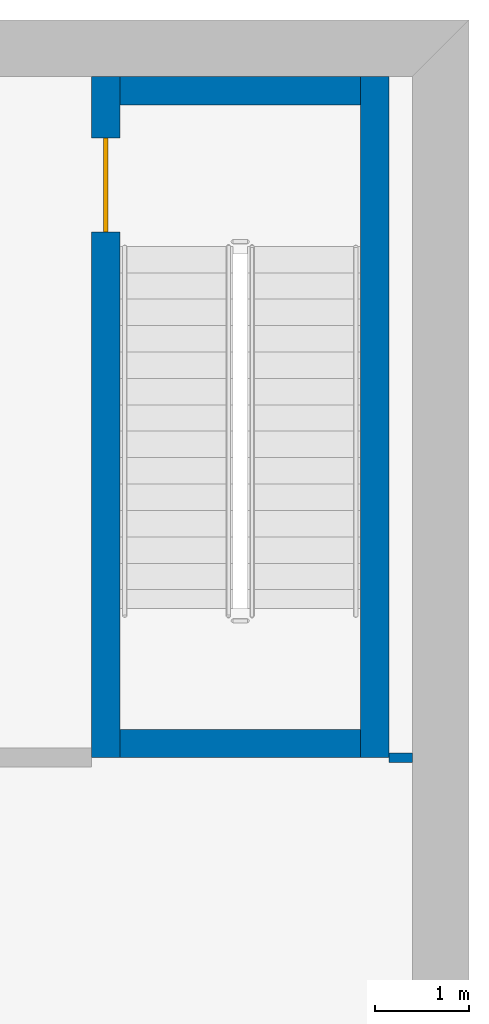
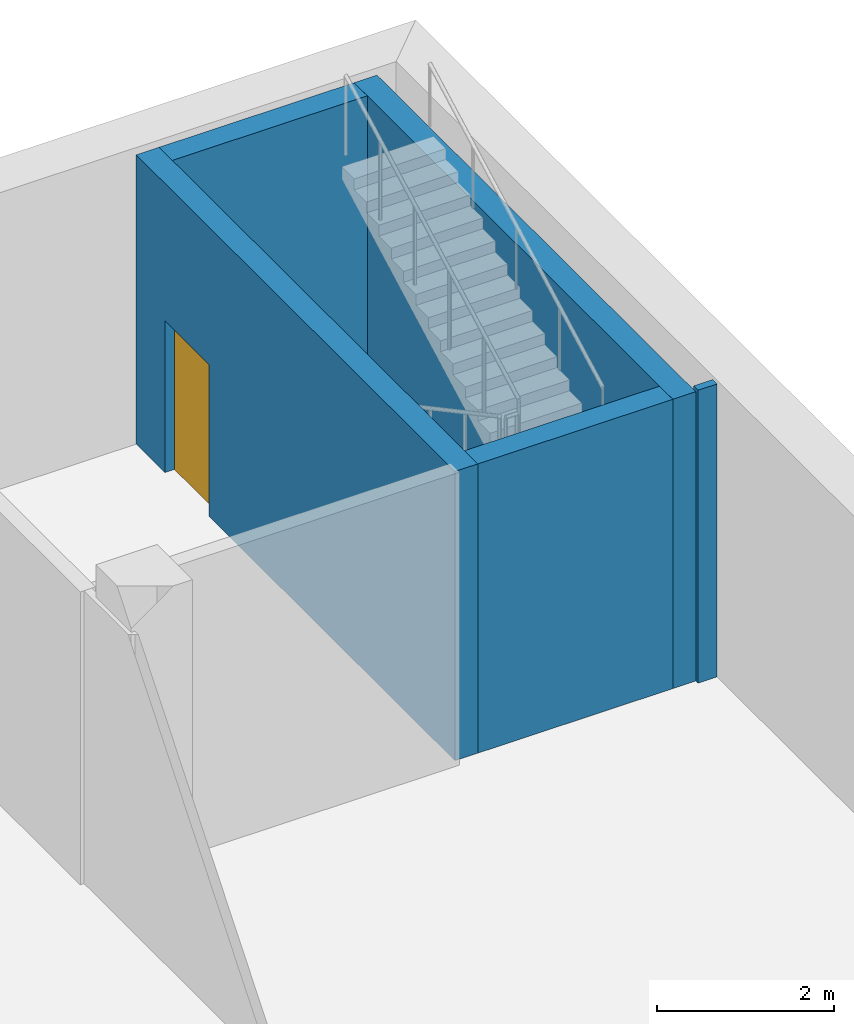
# One storey, part 14 of 21: 5 walls, 1 door, 1 opening.
"""IFC4 building model written with IfcOpenShell, lengths in metres."""

import ifcopenshell
import ifcopenshell.guid

model = None  # the IFC model being written
_history = None  # IfcOwnerHistory: only IFC2X3 demands one
_inside = {}  # id of a spatial element -> (the spatial element, [elements in it])
_under = {}  # id of a project, library or spatial element -> (it, [spatial elements below it])
_declared = {}  # id of a project -> (the project, [libraries it declares])
_typed = {}  # id of a type object -> (the type object, [elements of that type])
_made_of = {}  # id of a material, layer set ... -> (it, [elements and type objects made of it])


def new_model(schema):
    """Start an empty IFC model of exactly this schema.

    Asked for "IFC4X3", IfcOpenShell would pick the latest addendum, in which some entities
    have other attributes; the version numbers below select the first issue.
    IFC2X3 requires an IfcOwnerHistory on every rooted entity: one is made here for all.
    """
    global model, _history
    if schema == "IFC4X3":
        model = ifcopenshell.file(schema_version=(4, 3, 0, 0))
    else:
        model = ifcopenshell.file(schema=schema)
    _inside.clear()
    _under.clear()
    _declared.clear()
    _typed.clear()
    _made_of.clear()
    _history = None
    if model.schema == "IFC2X3":
        org = make("IfcOrganization", Name="unknown")
        user = make(
            "IfcPersonAndOrganization",
            ThePerson=make("IfcPerson", FamilyName="unknown"),
            TheOrganization=org,
        )
        app = make(
            "IfcApplication",
            ApplicationDeveloper=org,
            Version="unknown",
            ApplicationFullName="unknown",
            ApplicationIdentifier="unknown",
        )
        _history = make(
            "IfcOwnerHistory",
            OwningUser=user,
            OwningApplication=app,
            ChangeAction="ADDED",
            CreationDate=0,
        )
    return model


def make(cls, **values):
    """One entity of the class cls with the attributes given. An attribute that is None is left unset."""
    return model.create_entity(
        cls, **{name: value for name, value in values.items() if value is not None}
    )


def rooted(cls, **values):
    """An entity with a GlobalId (a new one), such as an element, a storey or a relation."""
    return make(cls, GlobalId=ifcopenshell.guid.new(), OwnerHistory=_history, **values)


def si_unit(unit_type, name, prefix=None):
    """IfcSIUnit, for example si_unit("LENGTHUNIT", "METRE", prefix="MILLI")."""
    return make("IfcSIUnit", UnitType=unit_type, Prefix=prefix, Name=name)


def assignment(units):
    """IfcUnitAssignment: the units of a project."""
    return None if units is None else make("IfcUnitAssignment", Units=units)


def point(xyz):
    """IfcCartesianPoint."""
    return None if xyz is None else make("IfcCartesianPoint", Coordinates=xyz)


def direction(xyz):
    """IfcDirection."""
    return None if xyz is None else make("IfcDirection", DirectionRatios=xyz)


def frame(location, z_axis=None, x_axis=None):
    """IfcAxis2Placement3D, a coordinate frame: its origin and axes. An axis left out is left unset."""
    return make(
        "IfcAxis2Placement3D",
        Location=point(location),
        Axis=direction(z_axis),
        RefDirection=direction(x_axis),
    )


def frame_2d(location, x_axis=None):
    """IfcAxis2Placement2D, a coordinate frame in the plane: its origin and x axis."""
    return make(
        "IfcAxis2Placement2D", Location=point(location), RefDirection=direction(x_axis)
    )


def origin():
    """The frame at (0, 0, 0) with its axes left unset."""
    return frame((0.0, 0.0, 0.0))


def place(relative_to, where):
    """IfcLocalPlacement: puts the frame where relative to a parent placement (None: the world)."""
    return make(
        "IfcLocalPlacement", PlacementRelTo=relative_to, RelativePlacement=where
    )


def context(
    kind, dimensions, precision=None, world=None, true_north=None, identifier=None
):
    """IfcGeometricRepresentationContext, for example the 3D "Model" context."""
    return make(
        "IfcGeometricRepresentationContext",
        ContextIdentifier=identifier,
        ContextType=kind,
        CoordinateSpaceDimension=dimensions,
        Precision=precision,
        WorldCoordinateSystem=world,
        TrueNorth=true_north,
    )


def subcontext(parent, identifier, kind, view, scale=None):
    """IfcGeometricRepresentationSubContext, for example "Body" below "Model"."""
    return make(
        "IfcGeometricRepresentationSubContext",
        ContextIdentifier=identifier,
        ContextType=kind,
        ParentContext=parent,
        TargetScale=scale,
        TargetView=view,
    )


def project(units=None, contexts=None):
    """IfcProject with its units and contexts."""
    return rooted(
        "IfcProject",
        Name="project",
        RepresentationContexts=contexts,
        UnitsInContext=assignment(units),
    )


def spatial(cls, under=None, at=None, **own):
    """A site, building, storey or space (cls), placed at a placement, below another one or the project."""
    s = rooted(cls, ObjectPlacement=at, **own)
    if under is not None:
        _under.setdefault(under.id(), (under, []))[1].append(s)
    return s


def profile(cls, at=None, kind="AREA", **sizes):
    """A parametric profile (cls). Its sizes go by their IFC names, for example OverallWidth=200.0."""
    return make(cls, ProfileType=kind, Position=at, **sizes)


def rectangle(**sizes):
    """IfcRectangleProfileDef."""
    return profile("IfcRectangleProfileDef", **sizes)


def extrude(swept, where, along, depth):
    """IfcExtrudedAreaSolid: the profile swept, set in the frame where, extruded along a direction by depth."""
    return make(
        "IfcExtrudedAreaSolid",
        SweptArea=swept,
        Position=where,
        ExtrudedDirection=direction(along),
        Depth=depth,
    )


def shape(context_of_items, identifier, shape_type, items):
    """IfcShapeRepresentation: the items that make up one representation, for example the "Body"."""
    return make(
        "IfcShapeRepresentation",
        ContextOfItems=context_of_items,
        RepresentationIdentifier=identifier,
        RepresentationType=shape_type,
        Items=items,
    )


def material(Name=None, Category=None):
    """IfcMaterial."""
    return make("IfcMaterial", Name=Name, Category=Category)


def layer(
    of_material, thickness, ventilated=None, Name=None, Category=None, Priority=None
):
    """IfcMaterialLayer: one layer of a wall or slab, of a material (None: an air gap)."""
    return make(
        "IfcMaterialLayer",
        Material=of_material,
        LayerThickness=thickness,
        IsVentilated=ventilated,
        Name=Name,
        Category=Category,
        Priority=Priority,
    )


def layer_set(layers, Name=None):
    """IfcMaterialLayerSet."""
    return make("IfcMaterialLayerSet", MaterialLayers=layers, LayerSetName=Name)


def made_of(thing, what):
    """Note that an element or type object is made of a material, layer set ...; save() writes the relation."""
    if what is not None:
        _made_of.setdefault(what.id(), (what, []))[1].append(thing)
    return thing


def type_object(cls, material=None, **own):
    """A type object (cls), such as IfcWallType, which elements share."""
    return made_of(rooted(cls, **own), material)


def element(
    cls,
    number,
    at=None,
    inside=None,
    cuts=None,
    type_object=None,
    material=None,
    context=None,
    identifier="Body",
    shape_type=None,
    held_by="IfcProductDefinitionShape",
    body=None,
    shapes=None,
    **own,
):
    """One element of the class cls, such as IfcWall. Its Tag is "e" and its number.

    at: its placement. inside: the storey or other place that contains it. cuts: it is an
    opening in that element (IfcRelVoidsElement). A single representation is given by context,
    identifier, shape_type and body (its items); several are given by shapes. held_by: the class
    of the entity that holds the representations. save() writes the other relations.
    """
    e = rooted(cls, Tag="e%d" % number, ObjectPlacement=at, **own)
    if body is not None:
        shapes = [shape(context, identifier, shape_type, body)]
    if shapes is not None:
        e.Representation = make(held_by, Representations=shapes)
    if inside is not None:
        _inside.setdefault(inside.id(), (inside, []))[1].append(e)
    if cuts is not None:
        rooted(
            "IfcRelVoidsElement", RelatingBuildingElement=cuts, RelatedOpeningElement=e
        )
    if type_object is not None:
        _typed.setdefault(type_object.id(), (type_object, []))[1].append(e)
    return made_of(e, material)


def fill(opening, filler):
    """IfcRelFillsElement: the door or window that sits in an opening."""
    return rooted(
        "IfcRelFillsElement",
        RelatingOpeningElement=opening,
        RelatedBuildingElement=filler,
    )


def aggregate(whole, parts):
    """IfcRelAggregates: a whole, such as a stair, and the parts it consists of."""
    return rooted("IfcRelAggregates", RelatingObject=whole, RelatedObjects=parts)


def save(model, path):
    """Write the relations noted so far, then the file.

    IfcRelAggregates (storeys below a building ...), IfcRelContainedInSpatialStructure (elements
    in a storey), IfcRelDefinesByType, IfcRelAssociatesMaterial and IfcRelDeclares: one each for
    every whole, place, type object, material and project.
    """
    for whole, parts in _under.values():
        aggregate(whole, parts)
    for where, things in _inside.values():
        rooted(
            "IfcRelContainedInSpatialStructure",
            RelatedElements=things,
            RelatingStructure=where,
        )
    for kind, things in _typed.values():
        rooted("IfcRelDefinesByType", RelatedObjects=things, RelatingType=kind)
    for what, things in _made_of.values():
        rooted("IfcRelAssociatesMaterial", RelatedObjects=things, RelatingMaterial=what)
    for by, libraries in _declared.values():
        rooted("IfcRelDeclares", RelatingContext=by, RelatedDefinitions=libraries)
    model.write(path)


model = new_model("IFC4")

# Units and contexts
model_context = context("Model", 3, precision=1e-05, world=origin(), true_north=direction((0.0, 1.0)))
body_context = subcontext(model_context, "Body", "Model", "MODEL_VIEW")
ifc_project = project(units=[si_unit("LENGTHUNIT", "METRE"), si_unit("AREAUNIT", "SQUARE_METRE"), si_unit("VOLUMEUNIT", "CUBIC_METRE"), si_unit("PLANEANGLEUNIT", "RADIAN"), si_unit("MASSUNIT", "GRAM", prefix="KILO")], contexts=[model_context])

# Site, building, storey
site_placement = place(None, origin())
site = spatial("IfcSite", under=ifc_project, at=site_placement, CompositionType="ELEMENT")
building_placement = place(site_placement, origin())
building = spatial("IfcBuilding", under=site, at=building_placement, Name="Trine Commons Tower", CompositionType="ELEMENT")
storey_placement = place(building_placement, frame((0.0, 0.0, -4.5)))
storey = spatial("IfcBuildingStorey", under=building, at=storey_placement, Name="B1", CompositionType="ELEMENT", Elevation=-4.5)

# Wall
ifc_material_1 = material(Name="Plasterboard on steel stud", Category="steel")
ifc_layer_1 = layer(ifc_material_1, 0.10009765625)
ifc_layer_set_1 = layer_set([ifc_layer_1], Name="Plasterboard on steel stud")
wall_type_1 = type_object("IfcWallType", Name="Partition wall 100 mm stud, not rated", PredefinedType="PARTITIONING", material=ifc_layer_set_1)
wall_1_placement = place(storey_placement, frame((137.951904296875, 96.679931640625, 0.0), z_axis=(0.0, 0.0, 1.0), x_axis=(1.0, 0.0, 0.0)))
element("IfcWall", 1, at=wall_1_placement, inside=storey, type_object=wall_type_1, Name="Partition B1036", PredefinedType="PARTITIONING", context=body_context, shape_type="SweptSolid", body=[
    extrude(rectangle(XDim=0.248046875, YDim=0.10009765625, at=frame_2d((0.1240234375, 0.0))), origin(), (0.0, 0.0, 1.0), 4.050048828125),
])

# Wall, opening, door
ifc_material_2 = material(Name="Concrete C40/50", Category="concrete")
ifc_layer_2 = layer(ifc_material_2, 0.300048828125)
ifc_layer_set_2 = layer_set([ifc_layer_2], Name="Concrete C40/50")
wall_type_2 = type_object("IfcWallType", Name="RC stair enclosure wall 300 mm, C40/50", PredefinedType="SHEAR", material=ifc_layer_set_2)
wall_2_placement = place(storey_placement, frame((134.949951171875, 103.89990234375, 0.0), z_axis=(0.0, 0.0, 1.0), x_axis=(0.0, -1.0, 0.0)))
wall_2 = element("IfcWall", 2, at=wall_2_placement, inside=storey, type_object=wall_type_2, Name="Stair STB4 enclosure wall B1", PredefinedType="SHEAR", context=body_context, shape_type="SweptSolid", body=[
    extrude(rectangle(XDim=7.219970703125, YDim=0.300048828125, at=frame_2d((3.60986328125, 0.0))), origin(), (0.0, 0.0, 1.0), 4.0),
])
opening_placement = place(wall_2_placement, frame((0.64990234375, 0.0, 0.0)))
opening = element("IfcOpeningElement", 3, at=opening_placement, cuts=wall_2, Name="Opening D-S11", PredefinedType="OPENING", context=body_context, shape_type="SweptSolid", body=[
    extrude(rectangle(XDim=1.0, YDim=2.10009765625, at=frame_2d((0.5, 1.050048828125))), frame((0.0, 0.159912109375, 0.0), z_axis=(0.0, -1.0, 0.0), x_axis=(1.0, 0.0, 0.0)), (0.0, 0.0, 1.0), 0.320068359375),
])
ifc_material_3 = material(Name="Steel fire door FD90S", Category="steel")
door_type = type_object("IfcDoorType", Name="Fire door 1000 x 2100, FD90S", OperationType="SINGLE_SWING_LEFT", PredefinedType="DOOR", material=ifc_material_3)
door_placement = place(opening_placement, origin())
door = element("IfcDoor", 4, at=door_placement, inside=storey, type_object=door_type, Name="Stair STB4 door B1", OperationType="SINGLE_SWING_LEFT", OverallHeight=2.10009765625, OverallWidth=1.0, PredefinedType="DOOR", context=body_context, shape_type="SweptSolid", body=[
    extrude(rectangle(XDim=1.0, YDim=2.10009765625, at=frame_2d((0.5, 1.050048828125))), frame((0.0, 0.02490234375, 0.0), z_axis=(0.0, -1.0, 0.0), x_axis=(1.0, 0.0, 0.0)), (0.0, 0.0, 1.0), 0.050048828125),
])
fill(opening, door)

# Walls
wall_3_placement = place(storey_placement, frame((137.800048828125, 103.89990234375, 0.0), z_axis=(0.0, 0.0, 1.0), x_axis=(0.0, -1.0, 0.0)))
element("IfcWall", 5, at=wall_3_placement, inside=storey, type_object=wall_type_2, Name="Stair STB4 enclosure wall B1", PredefinedType="SHEAR", context=body_context, shape_type="SweptSolid", body=[
    extrude(rectangle(XDim=7.219970703125, YDim=0.300048828125, at=frame_2d((3.60986328125, 0.0))), origin(), (0.0, 0.0, 1.0), 4.0),
])
for number, where, z_axis, x_axis, name in (
    (6, (135.10009765625, 103.75, 0.0), (0.0, 0.0, 1.0), (1.0, 0.0, 0.0), "Stair STB4 enclosure wall B1"),
    (7, (135.10009765625, 96.830078125, 0.0), (0.0, 0.0, 1.0), (1.0, 0.0, 0.0), "Stair STB4 enclosure wall B1"),
):
    element("IfcWall", number, at=place(storey_placement, frame(where, z_axis=z_axis, x_axis=x_axis)), inside=storey, type_object=wall_type_2, Name=name, PredefinedType="SHEAR", context=body_context, shape_type="SweptSolid", body=[
        extrude(rectangle(XDim=2.5498046875, YDim=0.300048828125, at=frame_2d((1.27490234375, 0.0))), origin(), (0.0, 0.0, 1.0), 4.0),
    ])

save(model, "model.ifc")
